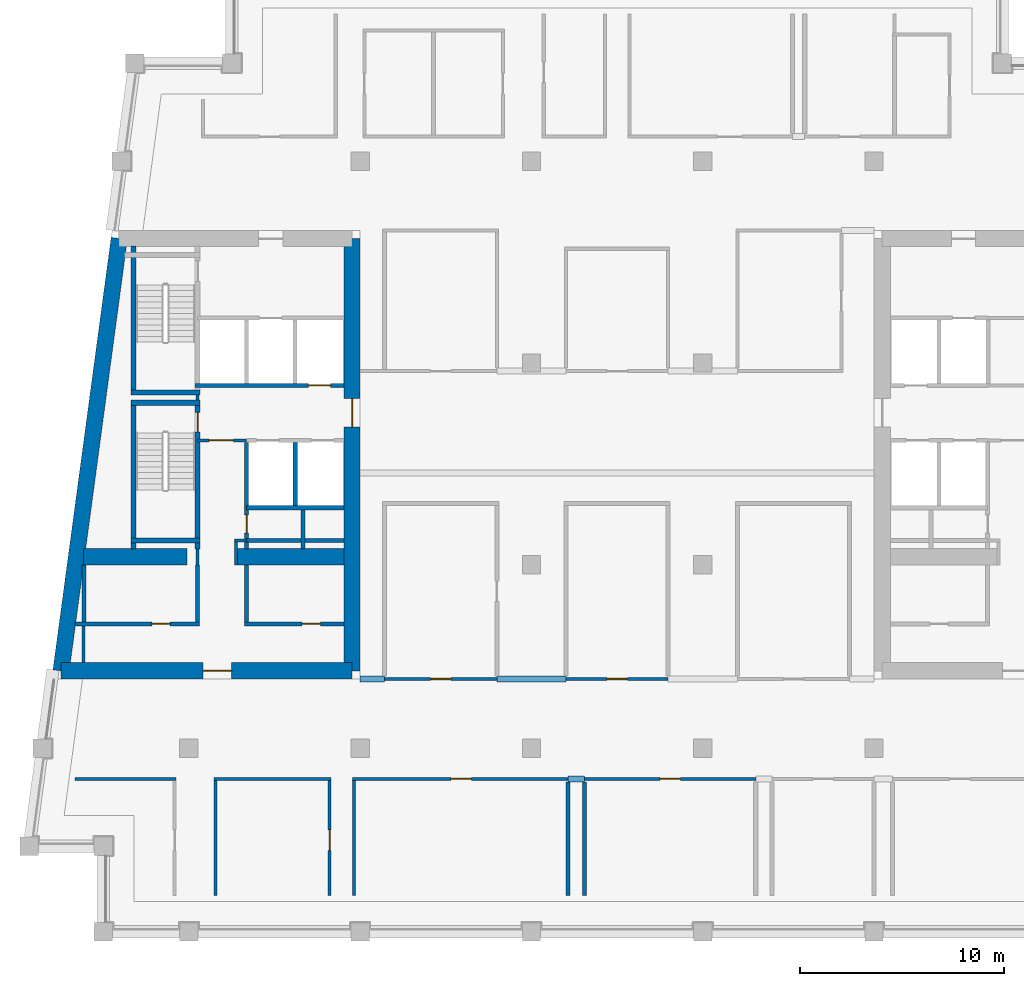
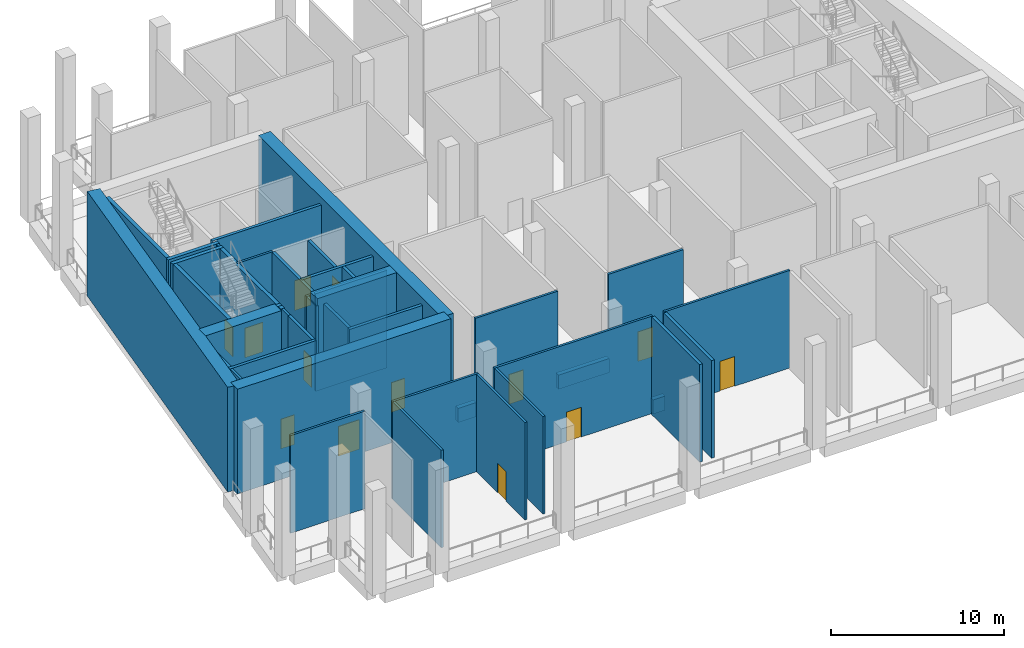
# One storey, part 2 of 10: 42 walls, 13 doors, 13 openings.
"""IFC4 building model written with IfcOpenShell, lengths in metres."""

from ifc_helpers import new_model, si_unit, direction, frame, frame_2d, origin, place, context, subcontext, project, spatial, rectangle, extrude, material, layer, layer_set, type_object, element, fill, save


model = new_model("IFC4")

# Units and contexts
model_context = context("Model", 3, precision=1e-05, world=origin(), true_north=direction((0.0, 1.0)))
body_context = subcontext(model_context, "Body", "Model", "MODEL_VIEW")
ifc_project = project(units=[si_unit("LENGTHUNIT", "METRE"), si_unit("AREAUNIT", "SQUARE_METRE"), si_unit("VOLUMEUNIT", "CUBIC_METRE"), si_unit("PLANEANGLEUNIT", "RADIAN"), si_unit("MASSUNIT", "GRAM", prefix="KILO")], contexts=[model_context])

# Site, building, storey
site_placement = place(None, origin())
site = spatial("IfcSite", under=ifc_project, at=site_placement, CompositionType="ELEMENT")
building_placement = place(site_placement, origin())
building = spatial("IfcBuilding", under=site, at=building_placement, Name="Candeia Pilgrim Tower and Theatre", CompositionType="ELEMENT")
storey_placement = place(building_placement, frame((0.0, 0.0, 246.60009765625)))
storey = spatial("IfcBuildingStorey", under=building, at=storey_placement, Name="L60", CompositionType="ELEMENT", Elevation=246.60009765625)

# Wall, opening, door
ifc_material_1 = material(Name="Concrete C50/60", Category="concrete")
ifc_layer_1 = layer(ifc_material_1, 0.800048828125)
ifc_layer_set_1 = layer_set([ifc_layer_1], Name="Core wall 800 C50/60")
wall_type_1 = type_object("IfcWallType", Name="Core wall 800 C50/60", PredefinedType="SHEAR", material=ifc_layer_set_1)
wall_1_placement = place(storey_placement, frame((100.39990234375, 132.0, 0.0), z_axis=(0.0, 0.0, 1.0), x_axis=(0.0, -1.0, 0.0)))
wall_1 = element("IfcWall", 1, at=wall_1_placement, inside=storey, type_object=wall_type_1, Name="Core wall W2", PredefinedType="SHEAR", context=body_context, shape_type="SweptSolid", body=[
    extrude(rectangle(XDim=21.199951171875, YDim=0.800048828125, at=frame_2d((10.60009765625, 0.0))), origin(), (0.0, 0.0, 1.0), 7.39990234375),
])
opening_1_placement = place(wall_1_placement, frame((7.85009765625, 0.0, 0.0)))
opening_1 = element("IfcOpeningElement", 2, at=opening_1_placement, cuts=wall_1, Name="Opening L60-D036", PredefinedType="OPENING", context=body_context, shape_type="SweptSolid", body=[
    extrude(rectangle(XDim=1.39990234375, YDim=2.10009765625, at=frame_2d((0.699951171875, 1.050048828125))), frame((0.0, 0.41015625, 0.0), z_axis=(0.0, -1.0, 0.0), x_axis=(1.0, 0.0, 0.0)), (0.0, 0.0, 1.0), 0.820068359375),
])
ifc_material_2 = material(Name="Steel fire door set", Category="steel")
door_type_1 = type_object("IfcDoorType", Name="D-1400-FD60", OperationType="NOTDEFINED", PredefinedType="DOOR", material=ifc_material_2)
door_1_placement = place(opening_1_placement, origin())
door_1 = element("IfcDoor", 3, at=door_1_placement, inside=storey, type_object=door_type_1, Name="Door L60-D036", OperationType="SINGLE_SWING_RIGHT", OverallHeight=2.10009765625, OverallWidth=1.39990234375, PredefinedType="DOOR", context=body_context, shape_type="SweptSolid", body=[
    extrude(rectangle(XDim=1.39990234375, YDim=2.10009765625, at=frame_2d((0.699951171875, 1.050048828125))), frame((0.0, 0.02490234375, 0.0), z_axis=(0.0, -1.0, 0.0), x_axis=(1.0, 0.0, 0.0)), (0.0, 0.0, 1.0), 0.050048828125),
])
fill(opening_1, door_1)

wall_2_placement = place(storey_placement, frame((100.39990234375, 110.800048828125, 0.0), z_axis=(0.0, 0.0, 1.0), x_axis=(-1.0, 0.0, 0.0)))
wall_2 = element("IfcWall", 4, at=wall_2_placement, inside=storey, type_object=wall_type_1, Name="Core wall W3", PredefinedType="SHEAR", context=body_context, shape_type="SweptSolid", body=[
    extrude(rectangle(XDim=14.273193359375, YDim=0.800048828125, at=frame_2d((7.13671875, 0.0))), origin(), (0.0, 0.0, 1.0), 7.39990234375),
])
opening_2_placement = place(wall_2_placement, frame((5.907958984375, 0.0, 0.0)))
opening_2 = element("IfcOpeningElement", 5, at=opening_2_placement, cuts=wall_2, Name="Opening L60-D034", PredefinedType="OPENING", context=body_context, shape_type="SweptSolid", body=[
    extrude(rectangle(XDim=1.39990234375, YDim=2.10009765625, at=frame_2d((0.699951171875, 1.050048828125))), frame((0.0, 0.41015625, 0.0), z_axis=(0.0, -1.0, 0.0), x_axis=(1.0, 0.0, 0.0)), (0.0, 0.0, 1.0), 0.820068359375),
])
door_2_placement = place(opening_2_placement, origin())
door_2 = element("IfcDoor", 6, at=door_2_placement, inside=storey, type_object=door_type_1, Name="Door L60-D034", OperationType="SINGLE_SWING_RIGHT", OverallHeight=2.10009765625, OverallWidth=1.39990234375, PredefinedType="DOOR", context=body_context, shape_type="SweptSolid", body=[
    extrude(rectangle(XDim=1.39990234375, YDim=2.10009765625, at=frame_2d((0.699951171875, 1.050048828125))), frame((0.0, 0.02490234375, 0.0), z_axis=(0.0, -1.0, 0.0), x_axis=(1.0, 0.0, 0.0)), (0.0, 0.0, 1.0), 0.050048828125),
])
fill(opening_2, door_2)

# Walls
wall_3_placement = place(storey_placement, frame((86.126708984375, 110.800048828125, 0.0), z_axis=(0.0, 0.0, 1.0), x_axis=(0.133408347329, 0.991061154956, 0.0)))
element("IfcWall", 7, at=wall_3_placement, inside=storey, type_object=wall_type_1, Name="Core wall W4", PredefinedType="SHEAR", context=body_context, shape_type="SweptSolid", body=[
    extrude(rectangle(XDim=21.39111328125, YDim=0.800048828125, at=frame_2d((10.695556640625, 0.0))), origin(), (0.0, 0.0, 1.0), 7.39990234375),
])
wall_4_placement = place(storey_placement, frame((87.22314453125, 116.39990234375, 0.0), z_axis=(0.0, 0.0, 1.0), x_axis=(1.0, 0.0, 0.0)))
element("IfcWall", 8, at=wall_4_placement, inside=storey, type_object=wall_type_1, Name="Core wall W5", PredefinedType="SHEAR", context=body_context, shape_type="SweptSolid", body=[
    extrude(rectangle(XDim=5.076904296875, YDim=0.800048828125, at=frame_2d((2.53857421875, 0.0))), origin(), (0.0, 0.0, 1.0), 7.39990234375),
])
wall_5_placement = place(storey_placement, frame((94.699951171875, 116.39990234375, 0.0), z_axis=(0.0, 0.0, 1.0), x_axis=(1.0, 0.0, 0.0)))
element("IfcWall", 9, at=wall_5_placement, inside=storey, type_object=wall_type_1, Name="Core wall W6", PredefinedType="SHEAR", context=body_context, shape_type="SweptSolid", body=[
    extrude(rectangle(XDim=5.300048828125, YDim=0.800048828125, at=frame_2d((2.64990234375, 0.0))), origin(), (0.0, 0.0, 1.0), 7.39990234375),
])
ifc_material_3 = material(Name="Concrete C30/37", Category="concrete")
ifc_layer_2 = layer(ifc_material_3, 0.300048828125)
ifc_layer_set_2 = layer_set([ifc_layer_2], Name="PL-300 planter kerb")
wall_type_2 = type_object("IfcWallType", Name="PL-300 planter kerb", PredefinedType="PARTITIONING", material=ifc_layer_set_2)
wall_6_placement = place(storey_placement, frame((111.0, 105.5, 0.0), z_axis=(0.0, 0.0, 1.0), x_axis=(1.0, 0.0, 0.0)))
element("IfcWall", 10, at=wall_6_placement, inside=storey, type_object=wall_type_2, Name="Planter kerb L60-001", PredefinedType="PARTITIONING", context=body_context, shape_type="SweptSolid", body=[
    extrude(rectangle(XDim=0.800048828125, YDim=0.300048828125, at=frame_2d((0.39990234375, 0.0))), origin(), (0.0, 0.0, 1.0), 1.0),
])
wall_7_placement = place(storey_placement, frame((100.800048828125, 110.39990234375, 0.0), z_axis=(0.0, 0.0, 1.0), x_axis=(1.0, 0.0, 0.0)))
element("IfcWall", 11, at=wall_7_placement, inside=storey, type_object=wall_type_2, Name="Planter kerb L60-011", PredefinedType="PARTITIONING", context=body_context, shape_type="SweptSolid", body=[
    extrude(rectangle(XDim=1.199951171875, YDim=0.300048828125, at=frame_2d((0.60009765625, 0.0))), origin(), (0.0, 0.0, 1.0), 1.0),
])
wall_8_placement = place(storey_placement, frame((107.5, 110.39990234375, 0.0), z_axis=(0.0, 0.0, 1.0), x_axis=(1.0, 0.0, 0.0)))
element("IfcWall", 12, at=wall_8_placement, inside=storey, type_object=wall_type_2, Name="Planter kerb L60-012", PredefinedType="PARTITIONING", context=body_context, shape_type="SweptSolid", body=[
    extrude(rectangle(XDim=3.39990234375, YDim=0.300048828125, at=frame_2d((1.699951171875, 0.0))), origin(), (0.0, 0.0, 1.0), 1.0),
])
ifc_material_4 = material(Name="Gypsum board partition on steel studs", Category="steel")
ifc_layer_3 = layer(ifc_material_4, 0.14990234375)
ifc_layer_set_3 = layer_set([ifc_layer_3], Name="PW-150 lobby wall")
wall_type_3 = type_object("IfcWallType", Name="PW-150 lobby wall", PredefinedType="PARTITIONING", material=ifc_layer_set_3)
wall_9_placement = place(storey_placement, frame((94.625, 117.199951171875, 0.0), z_axis=(0.0, 0.0, 1.0), x_axis=(1.0, 0.0, 0.0)))
element("IfcWall", 13, at=wall_9_placement, inside=storey, type_object=wall_type_3, Name="Lobby wall L60-024", PredefinedType="PARTITIONING", context=body_context, shape_type="SweptSolid", body=[
    extrude(rectangle(XDim=0.60205078125, YDim=0.14990234375, at=frame_2d((0.301025390625, 0.0))), origin(), (0.0, 0.0, 1.0), 6.89990234375),
])

# Wall, opening, door
wall_10_placement = place(storey_placement, frame((92.826904296875, 122.10009765625, 0.0), z_axis=(0.0, 0.0, 1.0), x_axis=(1.0, 0.0, 0.0)))
wall_10 = element("IfcWall", 14, at=wall_10_placement, inside=storey, type_object=wall_type_3, Name="Lobby wall L60-036", PredefinedType="PARTITIONING", context=body_context, shape_type="SweptSolid", body=[
    extrude(rectangle(XDim=2.400146484375, YDim=0.14990234375, at=frame_2d((1.2001953125, 0.0))), origin(), (0.0, 0.0, 1.0), 6.89990234375),
])
opening_3_placement = place(wall_10_placement, frame((0.550048828125, 0.0, 0.0)))
opening_3 = element("IfcOpeningElement", 15, at=opening_3_placement, cuts=wall_10, Name="Opening L60-D022", PredefinedType="OPENING", context=body_context, shape_type="SweptSolid", body=[
    extrude(rectangle(XDim=1.199951171875, YDim=2.10009765625, at=frame_2d((0.60009765625, 1.050048828125))), frame((0.0, 0.0849609375, 0.0), z_axis=(0.0, -1.0, 0.0), x_axis=(1.0, 0.0, 0.0)), (0.0, 0.0, 1.0), 0.169921875),
])
door_type_2 = type_object("IfcDoorType", Name="D-1200-FD60", OperationType="NOTDEFINED", PredefinedType="DOOR", material=ifc_material_2)
door_3_placement = place(opening_3_placement, origin())
door_3 = element("IfcDoor", 16, at=door_3_placement, inside=storey, type_object=door_type_2, Name="Door L60-D022", OperationType="SINGLE_SWING_RIGHT", OverallHeight=2.10009765625, OverallWidth=1.199951171875, PredefinedType="DOOR", context=body_context, shape_type="SweptSolid", body=[
    extrude(rectangle(XDim=1.199951171875, YDim=2.10009765625, at=frame_2d((0.60009765625, 1.050048828125))), frame((0.0, 0.02490234375, 0.0), z_axis=(0.0, -1.0, 0.0), x_axis=(1.0, 0.0, 0.0)), (0.0, 0.0, 1.0), 0.050048828125),
])
fill(opening_3, door_3)

# Walls
wall_11_placement = place(storey_placement, frame((87.22705078125, 111.199951171875, 0.0), z_axis=(0.0, 0.0, 1.0), x_axis=(0.0, 1.0, 0.0)))
element("IfcWall", 17, at=wall_11_placement, inside=storey, type_object=wall_type_3, Name="Lobby wall L60-068", PredefinedType="PARTITIONING", context=body_context, shape_type="SweptSolid", body=[
    extrude(rectangle(XDim=1.800048828125, YDim=0.14990234375, at=frame_2d((0.89990234375, 0.0))), origin(), (0.0, 0.0, 1.0), 6.89990234375),
])
wall_12_placement = place(storey_placement, frame((92.826904296875, 116.0, 0.0), z_axis=(0.0, 0.0, 1.0), x_axis=(0.0, 1.0, 0.0)))
element("IfcWall", 18, at=wall_12_placement, inside=storey, type_object=wall_type_3, Name="Lobby wall L60-073", PredefinedType="PARTITIONING", context=body_context, shape_type="SweptSolid", body=[
    extrude(rectangle(XDim=0.77001953125, YDim=0.14990234375, at=frame_2d((0.385009765625, 0.0))), origin(), (0.0, 0.0, 1.0), 6.89990234375),
])
wall_13_placement = place(storey_placement, frame((92.826904296875, 124.074951171875, 0.0), z_axis=(0.0, 0.0, 1.0), x_axis=(0.0, 1.0, 0.0)))
element("IfcWall", 19, at=wall_13_placement, inside=storey, type_object=wall_type_3, Name="Lobby wall L60-074", PredefinedType="PARTITIONING", context=body_context, shape_type="SweptSolid", body=[
    extrude(rectangle(XDim=0.25, YDim=0.14990234375, at=frame_2d((0.125, 0.0))), origin(), (0.0, 0.0, 1.0), 6.89990234375),
])
wall_14_placement = place(storey_placement, frame((94.699951171875, 116.0, 0.0), z_axis=(0.0, 0.0, 1.0), x_axis=(0.0, 1.0, 0.0)))
element("IfcWall", 20, at=wall_14_placement, inside=storey, type_object=wall_type_3, Name="Lobby wall L60-079", PredefinedType="PARTITIONING", context=body_context, shape_type="SweptSolid", body=[
    extrude(rectangle(XDim=1.125, YDim=0.14990234375, at=frame_2d((0.5625, 0.0))), origin(), (0.0, 0.0, 1.0), 6.89990234375),
])
ifc_layer_4 = layer(ifc_material_4, 0.14990234375)
ifc_layer_set_4 = layer_set([ifc_layer_4], Name="PW-150 unit wall")
wall_type_4 = type_object("IfcWallType", Name="PW-150 unit wall", PredefinedType="PARTITIONING", material=ifc_layer_set_4)
wall_15_placement = place(storey_placement, frame((86.81591796875, 105.5, 0.0), z_axis=(0.0, 0.0, 1.0), x_axis=(1.0, 0.0, 0.0)))
element("IfcWall", 21, at=wall_15_placement, inside=storey, type_object=wall_type_4, Name="Unit wall L60-004", PredefinedType="PARTITIONING", context=body_context, shape_type="SweptSolid", body=[
    extrude(rectangle(XDim=4.958984375, YDim=0.14990234375, at=frame_2d((2.4794921875, 0.0))), origin(), (0.0, 0.0, 1.0), 6.89990234375),
])
wall_16_placement = place(storey_placement, frame((93.625, 105.5, 0.0), z_axis=(0.0, 0.0, 1.0), x_axis=(1.0, 0.0, 0.0)))
element("IfcWall", 22, at=wall_16_placement, inside=storey, type_object=wall_type_4, Name="Unit wall L60-005", PredefinedType="PARTITIONING", context=body_context, shape_type="SweptSolid", body=[
    extrude(rectangle(XDim=5.75, YDim=0.14990234375, at=frame_2d((2.875, 0.0))), origin(), (0.0, 0.0, 1.0), 6.89990234375),
])

# Wall, opening, door
wall_17_placement = place(storey_placement, frame((100.425048828125, 105.5, 0.0), z_axis=(0.0, 0.0, 1.0), x_axis=(1.0, 0.0, 0.0)))
wall_17 = element("IfcWall", 23, at=wall_17_placement, inside=storey, type_object=wall_type_4, Name="Unit wall L60-006", PredefinedType="PARTITIONING", context=body_context, shape_type="SweptSolid", body=[
    extrude(rectangle(XDim=10.574951171875, YDim=0.14990234375, at=frame_2d((5.28759765625, 0.0))), origin(), (0.0, 0.0, 1.0), 6.89990234375),
])
opening_4_placement = place(wall_17_placement, frame((4.824951171875, 0.0, 0.0)))
opening_4 = element("IfcOpeningElement", 24, at=opening_4_placement, cuts=wall_17, Name="Opening L60-D001", PredefinedType="OPENING", context=body_context, shape_type="SweptSolid", body=[
    extrude(rectangle(XDim=1.0, YDim=2.10009765625, at=frame_2d((0.5, 1.050048828125))), frame((0.0, 0.0849609375, 0.0), z_axis=(0.0, -1.0, 0.0), x_axis=(1.0, 0.0, 0.0)), (0.0, 0.0, 1.0), 0.169921875),
])
ifc_material_5 = material(Name="Timber door leaf", Category="wood")
door_type_3 = type_object("IfcDoorType", Name="D-1000", OperationType="NOTDEFINED", PredefinedType="DOOR", material=ifc_material_5)
door_4_placement = place(opening_4_placement, origin())
door_4 = element("IfcDoor", 25, at=door_4_placement, inside=storey, type_object=door_type_3, Name="Door L60-D001", OperationType="SINGLE_SWING_LEFT", OverallHeight=2.10009765625, OverallWidth=1.0, PredefinedType="DOOR", context=body_context, shape_type="SweptSolid", body=[
    extrude(rectangle(XDim=1.0, YDim=2.10009765625, at=frame_2d((0.5, 1.050048828125))), frame((0.0, 0.02490234375, 0.0), z_axis=(0.0, -1.0, 0.0), x_axis=(1.0, 0.0, 0.0)), (0.0, 0.0, 1.0), 0.050048828125),
])
fill(opening_4, door_4)

wall_18_placement = place(storey_placement, frame((111.800048828125, 105.5, 0.0), z_axis=(0.0, 0.0, 1.0), x_axis=(1.0, 0.0, 0.0)))
wall_18 = element("IfcWall", 26, at=wall_18_placement, inside=storey, type_object=wall_type_4, Name="Unit wall L60-007", PredefinedType="PARTITIONING", context=body_context, shape_type="SweptSolid", body=[
    extrude(rectangle(XDim=8.39990234375, YDim=0.14990234375, at=frame_2d((4.199951171875, 0.0))), origin(), (0.0, 0.0, 1.0), 6.89990234375),
])
opening_5_placement = place(wall_18_placement, frame((3.699951171875, 0.0, 0.0)))
opening_5 = element("IfcOpeningElement", 27, at=opening_5_placement, cuts=wall_18, Name="Opening L60-D008", PredefinedType="OPENING", context=body_context, shape_type="SweptSolid", body=[
    extrude(rectangle(XDim=1.0, YDim=2.10009765625, at=frame_2d((0.5, 1.050048828125))), frame((0.0, 0.0849609375, 0.0), z_axis=(0.0, -1.0, 0.0), x_axis=(1.0, 0.0, 0.0)), (0.0, 0.0, 1.0), 0.169921875),
])
door_5_placement = place(opening_5_placement, origin())
door_5 = element("IfcDoor", 28, at=door_5_placement, inside=storey, type_object=door_type_3, Name="Door L60-D008", OperationType="SINGLE_SWING_RIGHT", OverallHeight=2.10009765625, OverallWidth=1.0, PredefinedType="DOOR", context=body_context, shape_type="SweptSolid", body=[
    extrude(rectangle(XDim=1.0, YDim=2.10009765625, at=frame_2d((0.5, 1.050048828125))), frame((0.0, 0.02490234375, 0.0), z_axis=(0.0, -1.0, 0.0), x_axis=(1.0, 0.0, 0.0)), (0.0, 0.0, 1.0), 0.050048828125),
])
fill(opening_5, door_5)

wall_19_placement = place(storey_placement, frame((102.0, 110.39990234375, 0.0), z_axis=(0.0, 0.0, 1.0), x_axis=(1.0, 0.0, 0.0)))
wall_19 = element("IfcWall", 29, at=wall_19_placement, inside=storey, type_object=wall_type_4, Name="Unit wall L60-015", PredefinedType="PARTITIONING", context=body_context, shape_type="SweptSolid", body=[
    extrude(rectangle(XDim=5.5, YDim=0.14990234375, at=frame_2d((2.75, 0.0))), origin(), (0.0, 0.0, 1.0), 6.89990234375),
])
opening_6_placement = place(wall_19_placement, frame((2.25, 0.0, 0.0)))
opening_6 = element("IfcOpeningElement", 30, at=opening_6_placement, cuts=wall_19, Name="Opening L60-D016", PredefinedType="OPENING", context=body_context, shape_type="SweptSolid", body=[
    extrude(rectangle(XDim=1.0, YDim=2.10009765625, at=frame_2d((0.5, 1.050048828125))), frame((0.0, 0.0849609375, 0.0), z_axis=(0.0, -1.0, 0.0), x_axis=(1.0, 0.0, 0.0)), (0.0, 0.0, 1.0), 0.169921875),
])
door_6_placement = place(opening_6_placement, origin())
door_6 = element("IfcDoor", 31, at=door_6_placement, inside=storey, type_object=door_type_3, Name="Door L60-D016", OperationType="SINGLE_SWING_RIGHT", OverallHeight=2.10009765625, OverallWidth=1.0, PredefinedType="DOOR", context=body_context, shape_type="SweptSolid", body=[
    extrude(rectangle(XDim=1.0, YDim=2.10009765625, at=frame_2d((0.5, 1.050048828125))), frame((0.0, 0.02490234375, 0.0), z_axis=(0.0, -1.0, 0.0), x_axis=(1.0, 0.0, 0.0)), (0.0, 0.0, 1.0), 0.050048828125),
])
fill(opening_6, door_6)

wall_20_placement = place(storey_placement, frame((110.89990234375, 110.39990234375, 0.0), z_axis=(0.0, 0.0, 1.0), x_axis=(1.0, 0.0, 0.0)))
wall_20 = element("IfcWall", 32, at=wall_20_placement, inside=storey, type_object=wall_type_4, Name="Unit wall L60-016", PredefinedType="PARTITIONING", context=body_context, shape_type="SweptSolid", body=[
    extrude(rectangle(XDim=5.0, YDim=0.14990234375, at=frame_2d((2.5, 0.0))), origin(), (0.0, 0.0, 1.0), 6.89990234375),
])
opening_7_placement = place(wall_20_placement, frame((2.0, 0.0, 0.0)))
opening_7 = element("IfcOpeningElement", 33, at=opening_7_placement, cuts=wall_20, Name="Opening L60-D017", PredefinedType="OPENING", context=body_context, shape_type="SweptSolid", body=[
    extrude(rectangle(XDim=1.0, YDim=2.10009765625, at=frame_2d((0.5, 1.050048828125))), frame((0.0, 0.0849609375, 0.0), z_axis=(0.0, -1.0, 0.0), x_axis=(1.0, 0.0, 0.0)), (0.0, 0.0, 1.0), 0.169921875),
])
door_7_placement = place(opening_7_placement, origin())
door_7 = element("IfcDoor", 34, at=door_7_placement, inside=storey, type_object=door_type_3, Name="Door L60-D017", OperationType="SINGLE_SWING_LEFT", OverallHeight=2.10009765625, OverallWidth=1.0, PredefinedType="DOOR", context=body_context, shape_type="SweptSolid", body=[
    extrude(rectangle(XDim=1.0, YDim=2.10009765625, at=frame_2d((0.5, 1.050048828125))), frame((0.0, 0.02490234375, 0.0), z_axis=(0.0, -1.0, 0.0), x_axis=(1.0, 0.0, 0.0)), (0.0, 0.0, 1.0), 0.050048828125),
])
fill(opening_7, door_7)

# Wall
wall_21_placement = place(storey_placement, frame((93.699951171875, 99.7900390625, 0.0), z_axis=(0.0, 0.0, 1.0), x_axis=(0.0, 1.0, 0.0)))
element("IfcWall", 35, at=wall_21_placement, inside=storey, type_object=wall_type_4, Name="Unit wall L60-078", PredefinedType="PARTITIONING", context=body_context, shape_type="SweptSolid", body=[
    extrude(rectangle(XDim=5.635009765625, YDim=0.14990234375, at=frame_2d((2.8173828125, 0.0))), origin(), (0.0, 0.0, 1.0), 6.89990234375),
])

# Wall, opening, door
wall_22_placement = place(storey_placement, frame((99.300048828125, 99.7900390625, 0.0), z_axis=(0.0, 0.0, 1.0), x_axis=(0.0, 1.0, 0.0)))
wall_22 = element("IfcWall", 36, at=wall_22_placement, inside=storey, type_object=wall_type_4, Name="Unit wall L60-086", PredefinedType="PARTITIONING", context=body_context, shape_type="SweptSolid", body=[
    extrude(rectangle(XDim=5.635009765625, YDim=0.14990234375, at=frame_2d((2.8173828125, 0.0))), origin(), (0.0, 0.0, 1.0), 6.89990234375),
])
opening_8_placement = place(wall_22_placement, frame((2.2099609375, 0.0, 0.0)))
opening_8 = element("IfcOpeningElement", 37, at=opening_8_placement, cuts=wall_22, Name="Opening L60-D011", PredefinedType="OPENING", context=body_context, shape_type="SweptSolid", body=[
    extrude(rectangle(XDim=1.0, YDim=2.10009765625, at=frame_2d((0.5, 1.050048828125))), frame((0.0, 0.0849609375, 0.0), z_axis=(0.0, -1.0, 0.0), x_axis=(1.0, 0.0, 0.0)), (0.0, 0.0, 1.0), 0.169921875),
])
door_8_placement = place(opening_8_placement, origin())
door_8 = element("IfcDoor", 38, at=door_8_placement, inside=storey, type_object=door_type_3, Name="Door L60-D011", OperationType="SINGLE_SWING_LEFT", OverallHeight=2.10009765625, OverallWidth=1.0, PredefinedType="DOOR", context=body_context, shape_type="SweptSolid", body=[
    extrude(rectangle(XDim=1.0, YDim=2.10009765625, at=frame_2d((0.5, 1.050048828125))), frame((0.0, 0.02490234375, 0.0), z_axis=(0.0, -1.0, 0.0), x_axis=(1.0, 0.0, 0.0)), (0.0, 0.0, 1.0), 0.050048828125),
])
fill(opening_8, door_8)

# Walls
wall_23_placement = place(storey_placement, frame((100.5, 99.7900390625, 0.0), z_axis=(0.0, 0.0, 1.0), x_axis=(0.0, 1.0, 0.0)))
element("IfcWall", 39, at=wall_23_placement, inside=storey, type_object=wall_type_4, Name="Unit wall L60-088", PredefinedType="PARTITIONING", context=body_context, shape_type="SweptSolid", body=[
    extrude(rectangle(XDim=5.635009765625, YDim=0.14990234375, at=frame_2d((2.8173828125, 0.0))), origin(), (0.0, 0.0, 1.0), 6.89990234375),
])
ifc_layer_5 = layer(ifc_material_4, 0.199951171875)
ifc_layer_set_5 = layer_set([ifc_layer_5], Name="PW-200 party wall")
wall_type_5 = type_object("IfcWallType", Name="PW-200 party wall", PredefinedType="PARTITIONING", material=ifc_layer_set_5)
for number, where, z_axis, x_axis, name in (
    (40, (111.0, 99.7900390625, 0.0), (0.0, 0.0, 1.0), (0.0, 1.0, 0.0), "Party wall L60-099"),
    (41, (111.800048828125, 99.7900390625, 0.0), (0.0, 0.0, 1.0), (0.0, 1.0, 0.0), "Party wall L60-100"),
):
    element("IfcWall", number, at=place(storey_placement, frame(where, z_axis=z_axis, x_axis=x_axis)), inside=storey, type_object=wall_type_5, Name=name, PredefinedType="PARTITIONING", context=body_context, shape_type="SweptSolid", body=[
        extrude(rectangle(XDim=5.56005859375, YDim=0.199951171875, at=frame_2d((2.780029296875, 0.0))), origin(), (0.0, 0.0, 1.0), 6.89990234375),
    ])

# Wall, opening, door
ifc_material_6 = material(Name="Concrete C40/50", Category="concrete")
ifc_layer_6 = layer(ifc_material_6, 0.199951171875)
ifc_layer_set_6 = layer_set([ifc_layer_6], Name="SW-200 shaft wall")
wall_type_6 = type_object("IfcWallType", Name="SW-200 shaft wall", PredefinedType="PARTITIONING", material=ifc_layer_set_6)
wall_24_placement = place(storey_placement, frame((86.809814453125, 113.10009765625, 0.0), z_axis=(0.0, 0.0, 1.0), x_axis=(1.0, 0.0, 0.0)))
wall_24 = element("IfcWall", 42, at=wall_24_placement, inside=storey, type_object=wall_type_6, Name="Shaft wall L60-018", PredefinedType="PARTITIONING", context=body_context, shape_type="SweptSolid", body=[
    extrude(rectangle(XDim=6.1171875, YDim=0.199951171875, at=frame_2d((3.05859375, 0.0))), origin(), (0.0, 0.0, 1.0), 6.89990234375),
])
opening_9_placement = place(wall_24_placement, frame((3.76708984375, 0.0, 0.0)))
opening_9 = element("IfcOpeningElement", 43, at=opening_9_placement, cuts=wall_24, Name="Opening L60-D026", PredefinedType="OPENING", context=body_context, shape_type="SweptSolid", body=[
    extrude(rectangle(XDim=0.89990234375, YDim=2.10009765625, at=frame_2d((0.449951171875, 1.050048828125))), frame((0.0, 0.10986328125, 0.0), z_axis=(0.0, -1.0, 0.0), x_axis=(1.0, 0.0, 0.0)), (0.0, 0.0, 1.0), 0.219970703125),
])
door_type_4 = type_object("IfcDoorType", Name="D-900-FD60", OperationType="NOTDEFINED", PredefinedType="DOOR", material=ifc_material_2)
door_9_placement = place(opening_9_placement, origin())
door_9 = element("IfcDoor", 44, at=door_9_placement, inside=storey, type_object=door_type_4, Name="Door L60-D026", OperationType="SINGLE_SWING_RIGHT", OverallHeight=2.10009765625, OverallWidth=0.89990234375, PredefinedType="DOOR", context=body_context, shape_type="SweptSolid", body=[
    extrude(rectangle(XDim=0.89990234375, YDim=2.10009765625, at=frame_2d((0.449951171875, 1.050048828125))), frame((0.0, 0.02490234375, 0.0), z_axis=(0.0, -1.0, 0.0), x_axis=(1.0, 0.0, 0.0)), (0.0, 0.0, 1.0), 0.050048828125),
])
fill(opening_9, door_9)

wall_25_placement = place(storey_placement, frame((95.126953125, 113.10009765625, 0.0), z_axis=(0.0, 0.0, 1.0), x_axis=(1.0, 0.0, 0.0)))
wall_25 = element("IfcWall", 45, at=wall_25_placement, inside=storey, type_object=wall_type_6, Name="Shaft wall L60-019", PredefinedType="PARTITIONING", context=body_context, shape_type="SweptSolid", body=[
    extrude(rectangle(XDim=4.873046875, YDim=0.199951171875, at=frame_2d((2.4365234375, 0.0))), origin(), (0.0, 0.0, 1.0), 6.89990234375),
])
opening_10_placement = place(wall_25_placement, frame((2.830078125, 0.0, 0.0)))
opening_10 = element("IfcOpeningElement", 46, at=opening_10_placement, cuts=wall_25, Name="Opening L60-D027", PredefinedType="OPENING", context=body_context, shape_type="SweptSolid", body=[
    extrude(rectangle(XDim=0.89990234375, YDim=2.10009765625, at=frame_2d((0.449951171875, 1.050048828125))), frame((0.0, 0.10986328125, 0.0), z_axis=(0.0, -1.0, 0.0), x_axis=(1.0, 0.0, 0.0)), (0.0, 0.0, 1.0), 0.219970703125),
])
door_10_placement = place(opening_10_placement, origin())
door_10 = element("IfcDoor", 47, at=door_10_placement, inside=storey, type_object=door_type_4, Name="Door L60-D027", OperationType="SINGLE_SWING_LEFT", OverallHeight=2.10009765625, OverallWidth=0.89990234375, PredefinedType="DOOR", context=body_context, shape_type="SweptSolid", body=[
    extrude(rectangle(XDim=0.89990234375, YDim=2.10009765625, at=frame_2d((0.449951171875, 1.050048828125))), frame((0.0, 0.02490234375, 0.0), z_axis=(0.0, -1.0, 0.0), x_axis=(1.0, 0.0, 0.0)), (0.0, 0.0, 1.0), 0.050048828125),
])
fill(opening_10, door_10)

# Walls
for number, where, z_axis, x_axis, name in (
    (48, (95.22705078125, 117.199951171875, 0.0), (0.0, 0.0, 1.0), (1.0, 0.0, 0.0), "Shaft wall L60-022"),
    (49, (95.22705078125, 118.800048828125, 0.0), (0.0, 0.0, 1.0), (1.0, 0.0, 0.0), "Shaft wall L60-028"),
):
    element("IfcWall", number, at=place(storey_placement, frame(where, z_axis=z_axis, x_axis=x_axis)), inside=storey, type_object=wall_type_6, Name=name, PredefinedType="PARTITIONING", context=body_context, shape_type="SweptSolid", body=[
        extrude(rectangle(XDim=4.77294921875, YDim=0.199951171875, at=frame_2d((2.386474609375, 0.0))), origin(), (0.0, 0.0, 1.0), 6.89990234375),
    ])

# Wall, opening, door
wall_26_placement = place(storey_placement, frame((92.701904296875, 124.800048828125, 0.0), z_axis=(0.0, 0.0, 1.0), x_axis=(1.0, 0.0, 0.0)))
wall_26 = element("IfcWall", 50, at=wall_26_placement, inside=storey, type_object=wall_type_6, Name="Shaft wall L60-042", PredefinedType="PARTITIONING", context=body_context, shape_type="SweptSolid", body=[
    extrude(rectangle(XDim=7.298095703125, YDim=0.199951171875, at=frame_2d((3.64892578125, 0.0))), origin(), (0.0, 0.0, 1.0), 6.89990234375),
])
opening_11_placement = place(wall_26_placement, frame((5.552001953125, 0.0, 0.0)))
opening_11 = element("IfcOpeningElement", 51, at=opening_11_placement, cuts=wall_26, Name="Opening L60-LD04", PredefinedType="OPENING", context=body_context, shape_type="SweptSolid", body=[
    extrude(rectangle(XDim=1.10009765625, YDim=2.10009765625, at=frame_2d((0.550048828125, 1.050048828125))), frame((0.0, 0.10986328125, 0.0), z_axis=(0.0, -1.0, 0.0), x_axis=(1.0, 0.0, 0.0)), (0.0, 0.0, 1.0), 0.219970703125),
])
ifc_material_7 = material(Name="Glazed aluminium landing door", Category="aluminium")
door_type_5 = type_object("IfcDoorType", Name="LD-1100-EI120", OperationType="SLIDING_TO_LEFT", PredefinedType="DOOR", material=ifc_material_7)
door_11_placement = place(opening_11_placement, origin())
door_11 = element("IfcDoor", 52, at=door_11_placement, inside=storey, type_object=door_type_5, Name="Landing door 04 L60", OperationType="SLIDING_TO_LEFT", OverallHeight=2.10009765625, OverallWidth=1.10009765625, PredefinedType="DOOR", context=body_context, shape_type="SweptSolid", body=[
    extrude(rectangle(XDim=1.10009765625, YDim=2.10009765625, at=frame_2d((0.550048828125, 1.050048828125))), frame((0.0, 0.02490234375, 0.0), z_axis=(0.0, -1.0, 0.0), x_axis=(1.0, 0.0, 0.0)), (0.0, 0.0, 1.0), 0.050048828125),
])
fill(opening_11, door_11)

# Walls
for number, where, z_axis, x_axis, name in (
    (53, (87.24951171875, 113.199951171875, 0.0), (0.0, 0.0, 1.0), (0.0, 1.0, 0.0), "Shaft wall L60-067"),
    (54, (92.826904296875, 113.199951171875, 0.0), (0.0, 0.0, 1.0), (0.0, 1.0, 0.0), "Shaft wall L60-072"),
    (55, (95.22705078125, 113.199951171875, 0.0), (0.0, 0.0, 1.0), (0.0, 1.0, 0.0), "Shaft wall L60-081"),
):
    element("IfcWall", number, at=place(storey_placement, frame(where, z_axis=z_axis, x_axis=x_axis)), inside=storey, type_object=wall_type_6, Name=name, PredefinedType="PARTITIONING", context=body_context, shape_type="SweptSolid", body=[
        extrude(rectangle(XDim=2.800048828125, YDim=0.199951171875, at=frame_2d((1.39990234375, 0.0))), origin(), (0.0, 0.0, 1.0), 6.89990234375),
    ])

# Wall, opening, door
wall_27_placement = place(storey_placement, frame((95.22705078125, 116.77001953125, 0.0), z_axis=(0.0, 0.0, 1.0), x_axis=(0.0, 1.0, 0.0)))
wall_27 = element("IfcWall", 56, at=wall_27_placement, inside=storey, type_object=wall_type_6, Name="Shaft wall L60-082", PredefinedType="PARTITIONING", context=body_context, shape_type="SweptSolid", body=[
    extrude(rectangle(XDim=5.22998046875, YDim=0.199951171875, at=frame_2d((2.614990234375, 0.0))), origin(), (0.0, 0.0, 1.0), 6.89990234375),
])
opening_12_placement = place(wall_27_placement, frame((0.780029296875, 0.0, 0.0)))
opening_12 = element("IfcOpeningElement", 57, at=opening_12_placement, cuts=wall_27, Name="Opening L60-D025", PredefinedType="OPENING", context=body_context, shape_type="SweptSolid", body=[
    extrude(rectangle(XDim=0.89990234375, YDim=2.10009765625, at=frame_2d((0.449951171875, 1.050048828125))), frame((0.0, 0.10986328125, 0.0), z_axis=(0.0, -1.0, 0.0), x_axis=(1.0, 0.0, 0.0)), (0.0, 0.0, 1.0), 0.219970703125),
])
door_12_placement = place(opening_12_placement, origin())
door_12 = element("IfcDoor", 58, at=door_12_placement, inside=storey, type_object=door_type_4, Name="Door L60-D025", OperationType="SINGLE_SWING_LEFT", OverallHeight=2.10009765625, OverallWidth=0.89990234375, PredefinedType="DOOR", context=body_context, shape_type="SweptSolid", body=[
    extrude(rectangle(XDim=0.89990234375, YDim=2.10009765625, at=frame_2d((0.449951171875, 1.050048828125))), frame((0.0, 0.02490234375, 0.0), z_axis=(0.0, -1.0, 0.0), x_axis=(1.0, 0.0, 0.0)), (0.0, 0.0, 1.0), 0.050048828125),
])
fill(opening_12, door_12)

# Walls
wall_28_placement = place(storey_placement, frame((97.613525390625, 118.89990234375, 0.0), z_axis=(0.0, 0.0, 1.0), x_axis=(0.0, 1.0, 0.0)))
element("IfcWall", 59, at=wall_28_placement, inside=storey, type_object=wall_type_6, Name="Shaft wall L60-084", PredefinedType="PARTITIONING", context=body_context, shape_type="SweptSolid", body=[
    extrude(rectangle(XDim=3.10009765625, YDim=0.199951171875, at=frame_2d((1.550048828125, 0.0))), origin(), (0.0, 0.0, 1.0), 6.89990234375),
])
wall_29_placement = place(storey_placement, frame((98.0, 116.77001953125, 0.0), z_axis=(0.0, 0.0, 1.0), x_axis=(0.0, 1.0, 0.0)))
element("IfcWall", 60, at=wall_29_placement, inside=storey, type_object=wall_type_6, Name="Shaft wall L60-085", PredefinedType="PARTITIONING", context=body_context, shape_type="SweptSolid", body=[
    extrude(rectangle(XDim=1.929931640625, YDim=0.199951171875, at=frame_2d((0.96484375, 0.0))), origin(), (0.0, 0.0, 1.0), 6.89990234375),
])
ifc_layer_7 = layer(ifc_material_6, 0.25)
ifc_layer_set_7 = layer_set([ifc_layer_7], Name="SW-250 stair wall")
wall_type_7 = type_object("IfcWallType", Name="SW-250 stair wall", PredefinedType="PARTITIONING", material=ifc_layer_set_7)
for number, where, z_axis, x_axis, name in (
    (61, (89.552001953125, 117.199951171875, 0.0), (0.0, 0.0, 1.0), (1.0, 0.0, 0.0), "Stair wall L60-026"),
    (62, (89.552001953125, 123.949951171875, 0.0), (0.0, 0.0, 1.0), (1.0, 0.0, 0.0), "Stair wall L60-038"),
    (63, (89.552001953125, 124.449951171875, 0.0), (0.0, 0.0, 1.0), (1.0, 0.0, 0.0), "Stair wall L60-040"),
):
    element("IfcWall", number, at=place(storey_placement, frame(where, z_axis=z_axis, x_axis=x_axis)), inside=storey, type_object=wall_type_7, Name=name, PredefinedType="PARTITIONING", context=body_context, shape_type="SweptSolid", body=[
        extrude(rectangle(XDim=3.39990234375, YDim=0.25, at=frame_2d((1.699951171875, 0.0))), origin(), (0.0, 0.0, 1.0), 6.89990234375),
    ])
for number, where, z_axis, x_axis, name in (
    (64, (89.677001953125, 116.77001953125, 0.0), (0.0, 0.0, 1.0), (0.0, 1.0, 0.0), "Stair wall L60-069"),
    (65, (89.677001953125, 124.574951171875, 0.0), (0.0, 0.0, 1.0), (0.0, 1.0, 0.0), "Stair wall L60-070"),
):
    element("IfcWall", number, at=place(storey_placement, frame(where, z_axis=z_axis, x_axis=x_axis)), inside=storey, type_object=wall_type_7, Name=name, PredefinedType="PARTITIONING", context=body_context, shape_type="SweptSolid", body=[
        extrude(rectangle(XDim=7.054931640625, YDim=0.25, at=frame_2d((3.52734375, 0.0))), origin(), (0.0, 0.0, 1.0), 6.89990234375),
    ])

# Wall, opening, door
wall_30_placement = place(storey_placement, frame((92.826904296875, 116.77001953125, 0.0), z_axis=(0.0, 0.0, 1.0), x_axis=(0.0, 1.0, 0.0)))
wall_30 = element("IfcWall", 66, at=wall_30_placement, inside=storey, type_object=wall_type_7, Name="Stair wall L60-075", PredefinedType="PARTITIONING", context=body_context, shape_type="SweptSolid", body=[
    extrude(rectangle(XDim=7.054931640625, YDim=0.25, at=frame_2d((3.52734375, 0.0))), origin(), (0.0, 0.0, 1.0), 6.89990234375),
])
opening_13_placement = place(wall_30_placement, frame((5.7548828125, 0.0, 0.0)))
opening_13 = element("IfcOpeningElement", 67, at=opening_13_placement, cuts=wall_30, Name="Opening L60-D023", PredefinedType="OPENING", context=body_context, shape_type="SweptSolid", body=[
    extrude(rectangle(XDim=0.949951171875, YDim=2.10009765625, at=frame_2d((0.47509765625, 1.050048828125))), frame((0.0, 0.135009765625, 0.0), z_axis=(0.0, -1.0, 0.0), x_axis=(1.0, 0.0, 0.0)), (0.0, 0.0, 1.0), 0.27001953125),
])
door_type_6 = type_object("IfcDoorType", Name="D-950-FD60", OperationType="NOTDEFINED", PredefinedType="DOOR", material=ifc_material_2)
door_13_placement = place(opening_13_placement, origin())
door_13 = element("IfcDoor", 68, at=door_13_placement, inside=storey, type_object=door_type_6, Name="Door L60-D023", OperationType="SINGLE_SWING_LEFT", OverallHeight=2.10009765625, OverallWidth=0.949951171875, PredefinedType="DOOR", context=body_context, shape_type="SweptSolid", body=[
    extrude(rectangle(XDim=0.949951171875, YDim=2.10009765625, at=frame_2d((0.47509765625, 1.050048828125))), frame((0.0, 0.02490234375, 0.0), z_axis=(0.0, -1.0, 0.0), x_axis=(1.0, 0.0, 0.0)), (0.0, 0.0, 1.0), 0.050048828125),
])
fill(opening_13, door_13)

save(model, "model.ifc")
